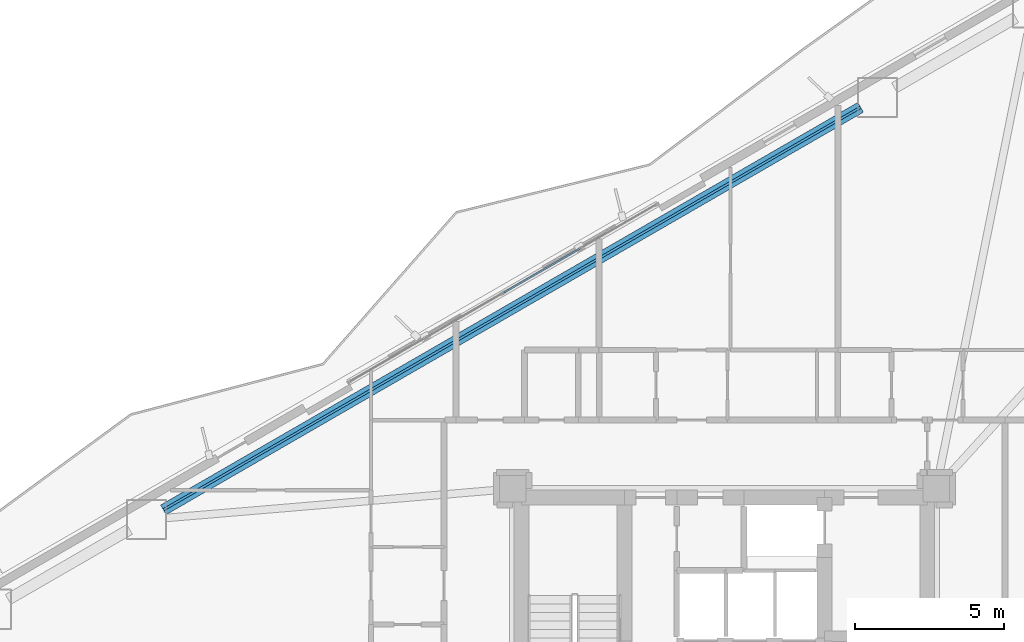
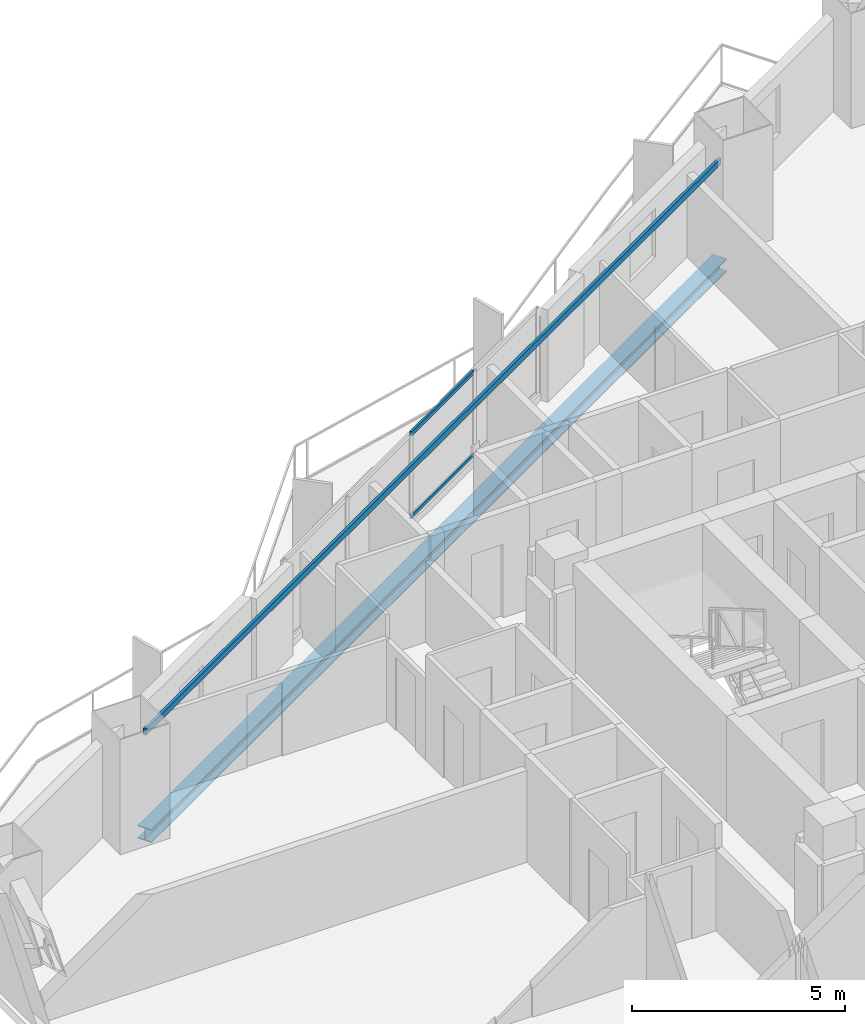
# One storey, part 8 of 18: 2 beams, 2 members, 1 element without a shape of its own.
"""IFC4 building model written with IfcOpenShell, lengths in metres."""

from ifc_helpers import new_model, si_unit, direction, frame, origin, origin_2d, place, context, subcontext, project, spatial, hollow_rectangle, i_section, extrude, material, layer, layer_set, material_profile, profile_set, type_object, element, aggregate, save


model = new_model("IFC4")

# Units and contexts
model_context = context("Model", 3, precision=1e-05, world=origin(), true_north=direction((0.0, 1.0)))
body_context = subcontext(model_context, "Body", "Model", "MODEL_VIEW")
ifc_project = project(units=[si_unit("LENGTHUNIT", "METRE"), si_unit("AREAUNIT", "SQUARE_METRE"), si_unit("VOLUMEUNIT", "CUBIC_METRE"), si_unit("PLANEANGLEUNIT", "RADIAN"), si_unit("MASSUNIT", "GRAM", prefix="KILO")], contexts=[model_context])

# Site, building, storey
site_placement = place(None, origin())
site = spatial("IfcSite", under=ifc_project, at=site_placement, CompositionType="ELEMENT")
building_placement = place(site_placement, origin())
building = spatial("IfcBuilding", under=site, at=building_placement, Name="Mersakhor Tower and Convention Hall", CompositionType="ELEMENT")
storey_placement = place(building_placement, frame((0.0, 0.0, 58.800048828125)))
storey = spatial("IfcBuildingStorey", under=building, at=storey_placement, Name="L16", CompositionType="ELEMENT", Elevation=58.800048828125)

# Beams
ifc_material_1 = material(Name="Steel S355", Category="steel")
ifc_material_profile_1 = material_profile(ifc_material_1, hollow_rectangle(XDim=0.080078125, YDim=0.179931640625, WallThickness=0.008056640625, at=origin_2d()), Name="RHS 180x80x8")
ifc_profile_set_1 = profile_set([ifc_material_profile_1], Name="Steel S355")
beam_type_1 = type_object("IfcBeamType", Name="BM-GRT-RHS180", PredefinedType="USERDEFINED", material=ifc_profile_set_1)
beam_1_placement = place(storey_placement, frame((10.183837890625, 32.341064453125, 2.47998046875), z_axis=(0.866025970279, 0.499999018801, 0.0), x_axis=(-0.499999018801, 0.866025970279, 0.0)))
element("IfcBeam", 1, at=beam_1_placement, inside=storey, type_object=beam_type_1, Name="L16 Facade Support Girt GRT-F1", ObjectType="GIRT", PredefinedType="USERDEFINED", context=body_context, shape_type="SweptSolid", body=[
    extrude(hollow_rectangle(XDim=0.080078125, YDim=0.179931640625, WallThickness=0.008056640625, at=origin_2d()), origin(), (0.0, 0.0, 1.0), 26.99951171875),
])
ifc_material_2 = material(Name="Steel S355", Category="steel")
ifc_material_profile_2 = material_profile(ifc_material_2, i_section(OverallWidth=0.374755859375, OverallDepth=0.37451171875, WebThickness=0.0166015625, FlangeThickness=0.027099609375, at=origin_2d()), Name="UC 356x368x202")
ifc_profile_set_2 = profile_set([ifc_material_profile_2], Name="Steel S355")
beam_type_2 = type_object("IfcBeamType", Name="BM-SPD-UC356", PredefinedType="SPANDREL", material=ifc_profile_set_2)
beam_2_placement = place(storey_placement, frame((10.183837890625, 32.341064453125, -0.447265625), z_axis=(0.866025970279, 0.499999018801, 0.0), x_axis=(-0.499999018801, 0.866025970279, 0.0)))
element("IfcBeam", 2, at=beam_2_placement, inside=storey, type_object=beam_type_2, Name="L16 Perimeter Spandrel Beam SPB-02", PredefinedType="SPANDREL", context=body_context, shape_type="SweptSolid", body=[
    extrude(i_section(OverallWidth=0.374755859375, OverallDepth=0.37451171875, WebThickness=0.0166015625, FlangeThickness=0.027099609375, at=origin_2d()), origin(), (0.0, 0.0, 1.0), 26.99951171875),
])

# Curtain wall, members
ifc_material_3 = material(Name="Dark solar low-E aluminium curtain wall", Category="aluminium")
ifc_layer = layer(ifc_material_3, 0.159912109375)
ifc_layer_set = layer_set([ifc_layer], Name="Dark solar low-E aluminium curtain wall")
curtain_wall_type = type_object("IfcCurtainWallType", Name="CW-SYS-01", PredefinedType="USERDEFINED", material=ifc_layer_set)
curtain_wall_placement = place(storey_placement, origin())
curtain_wall = element("IfcCurtainWall", 3, at=curtain_wall_placement, inside=storey, type_object=curtain_wall_type, Name="L16 Dark-Glass Curtain Wall F1-B2", ObjectType="CURTAIN WALL", PredefinedType="USERDEFINED")
ifc_material_4 = material(Name="Anodised aluminium EN AW-6063 T6", Category="aluminium")
ifc_material_profile_3 = material_profile(ifc_material_4, hollow_rectangle(XDim=0.06005859375, YDim=0.1201171875, WallThickness=0.0048828125, at=origin_2d()), Name="RHS 120x60x5")
ifc_profile_set_3 = profile_set([ifc_material_profile_3], Name="Anodised aluminium EN AW-6063 T6")
member_type = type_object("IfcMemberType", Name="CWT-120x60", PredefinedType="USERDEFINED", material=ifc_profile_set_3)
member_1_placement = place(storey_placement, frame((21.607421875, 39.629150390625, 0.22998046875), z_axis=(0.866015622527, 0.500016941252, 0.0), x_axis=(-0.500016941252, 0.866015622527, 0.0)))
member_1 = element("IfcMember", 4, at=member_1_placement, type_object=member_type, Name="CW-01 transom 3.1", ObjectType="TRANSOM", PredefinedType="USERDEFINED", context=body_context, shape_type="SweptSolid", body=[
    extrude(hollow_rectangle(XDim=0.06005859375, YDim=0.1201171875, WallThickness=0.0048828125, at=origin_2d()), origin(), (0.0, 0.0, 1.0), 2.91845703125),
])
member_2_placement = place(storey_placement, frame((21.607421875, 39.629150390625, 2.60986328125), z_axis=(0.866015622527, 0.500016941252, 0.0), x_axis=(-0.500016941252, 0.866015622527, 0.0)))
member_2 = element("IfcMember", 5, at=member_2_placement, type_object=member_type, Name="CW-01 transom 3.2", ObjectType="TRANSOM", PredefinedType="USERDEFINED", context=body_context, shape_type="SweptSolid", body=[
    extrude(hollow_rectangle(XDim=0.06005859375, YDim=0.1201171875, WallThickness=0.0048828125, at=origin_2d()), origin(), (0.0, 0.0, 1.0), 2.91845703125),
])
aggregate(curtain_wall, [member_1, member_2])

save(model, "model.ifc")
